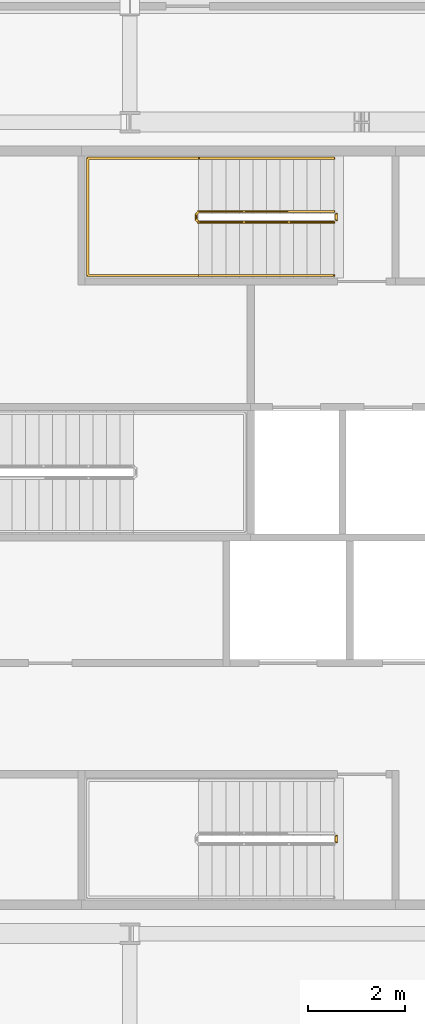
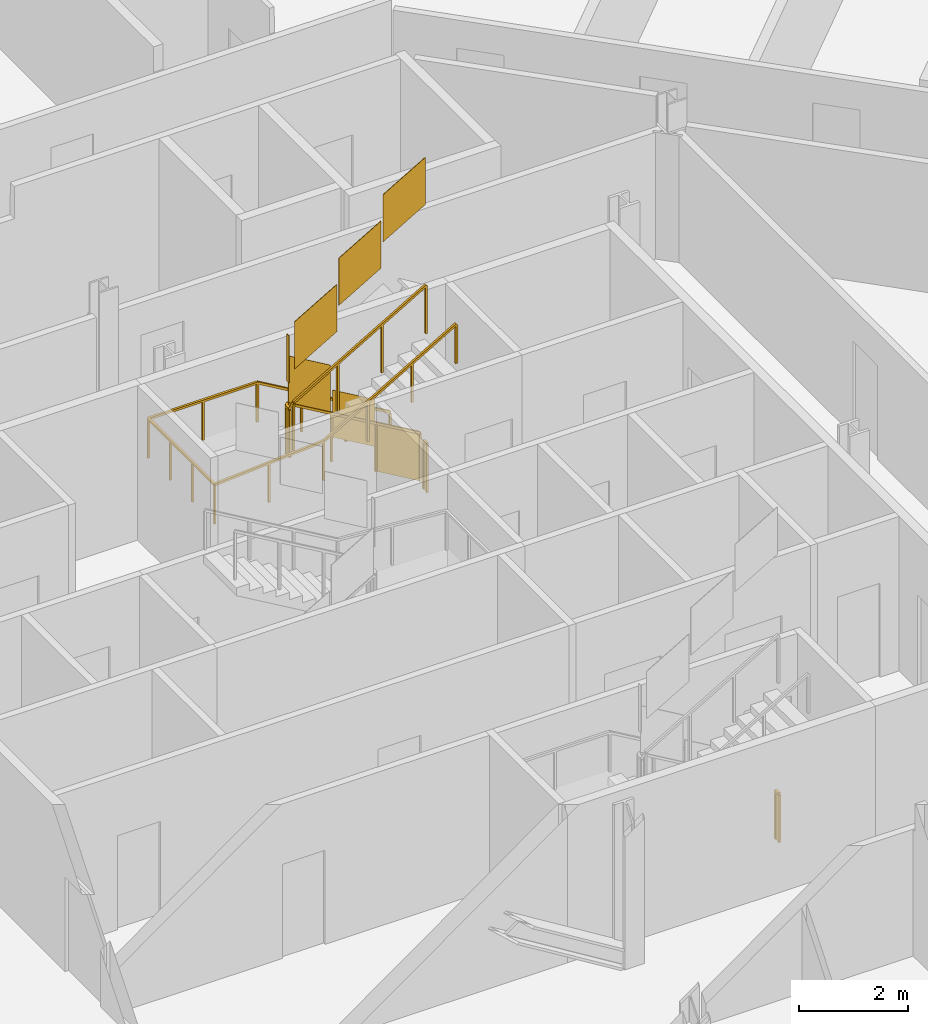
# One storey, part 18 of 21: 4 railings.
"""IFC4 building model written with IfcOpenShell, lengths in metres."""

from ifc_helpers import new_model, si_unit, direction, frame, origin, origin_2d, place, context, subcontext, project, spatial, polyline, rectangle, outline, extrude, material, type_object, element, save


model = new_model("IFC4")

# Units and contexts
model_context = context("Model", 3, precision=1e-05, world=origin(), true_north=direction((0.0, 1.0)))
body_context = subcontext(model_context, "Body", "Model", "MODEL_VIEW")
ifc_project = project(units=[si_unit("LENGTHUNIT", "METRE"), si_unit("AREAUNIT", "SQUARE_METRE"), si_unit("VOLUMEUNIT", "CUBIC_METRE"), si_unit("PLANEANGLEUNIT", "RADIAN"), si_unit("MASSUNIT", "GRAM", prefix="KILO")], contexts=[model_context])

# Site, building, storey
site_placement = place(None, origin())
site = spatial("IfcSite", under=ifc_project, at=site_placement, CompositionType="ELEMENT")
building_placement = place(site_placement, origin())
building = spatial("IfcBuilding", under=site, at=building_placement, Name="Cairn Pilgrim Tower", CompositionType="ELEMENT")
storey_placement = place(building_placement, frame((0.0, 0.0, 154.199951171875)))
storey = spatial("IfcBuildingStorey", under=building, at=storey_placement, Name="L38", CompositionType="ELEMENT", Elevation=154.199951171875)

# Railings
ifc_material = material(Name="Painted steel", Category="steel")
railing_type_1 = type_object("IfcRailingType", Name="STAIR GUARD 1100", PredefinedType="GUARDRAIL", material=ifc_material)
railing_1_placement = place(storey_placement, frame((11.47509765625, -3.97509765625, 0.0)))
element("IfcRailing", 1, at=railing_1_placement, inside=storey, type_object=railing_type_1, Name="L38 ST-A stair guard 2", PredefinedType="GUARDRAIL", context=body_context, shape_type="SweptSolid", body=[
    extrude(rectangle(XDim=0.048095703125, YDim=0.048095703125, at=origin_2d()), frame((0.0, 0.0, 1.076171875), z_axis=(0.0, -1.0, 0.0), x_axis=(1.0, 0.0, 0.0)), (0.0, 0.0, 1.0), 0.125),
    extrude(rectangle(XDim=0.0419921875, YDim=0.0419921875, at=origin_2d()), origin(), (0.0, 0.0, 1.0), 1.052001953125),
    extrude(rectangle(XDim=0.0419921875, YDim=0.0419921875, at=origin_2d()), frame((0.0, -0.125, 0.0)), (0.0, 0.0, 1.0), 1.052001953125),
    extrude(outline(polyline([(0.02099609375, 0.0), (0.10400390625, 0.0), (0.10400390625, 1.052001953125), (0.02099609375, 1.052001953125), (0.02099609375, 0.0)])), frame((0.005859375, 0.0, 0.0), z_axis=(-1.0, 0.0, 0.0), x_axis=(0.0, -1.0, 0.0)), (0.0, 0.0, 1.0), 0.011962890625),
])
railing_2_placement = place(storey_placement, frame((11.425048828125, 8.949951171875, 0.16357421875)))
element("IfcRailing", 2, at=railing_2_placement, inside=storey, type_object=railing_type_1, Name="L38 ST-C stair guard 1", PredefinedType="GUARDRAIL", context=body_context, shape_type="SweptSolid", body=[
    extrude(rectangle(XDim=0.048095703125, YDim=0.048095703125, at=origin_2d()), frame((0.0, 0.0, 1.076171875), z_axis=(-0.863360870873, 0.0, 0.504586966384), x_axis=(0.0, -1.0, 0.0)), (0.0, 0.0, 1.0), 3.2431640625),
    extrude(rectangle(XDim=0.048095703125, YDim=0.048095703125, at=origin_2d()), frame((-2.800048828125, 0.0, 2.71240234375), z_axis=(-0.707106781187, -0.707106781187, 0.0), x_axis=(0.707106781187, -0.707106781187, 0.0)), (0.0, 0.0, 1.0), 0.07080078125),
    extrude(rectangle(XDim=0.048095703125, YDim=0.048095703125, at=origin_2d()), frame((-2.85009765625, -0.050048828125, 2.71240234375), z_axis=(0.0, -1.0, 0.0), x_axis=(1.0, 0.0, 0.0)), (0.0, 0.0, 1.0), 0.125),
    extrude(rectangle(XDim=0.048095703125, YDim=0.048095703125, at=origin_2d()), frame((-2.85009765625, -0.175048828125, 2.71240234375), z_axis=(0.280916556609, -0.279546231943, 0.91811752648), x_axis=(0.705375805398, 0.708833529934, 0.0)), (0.0, 0.0, 1.0), 0.17822265625),
    extrude(rectangle(XDim=0.048095703125, YDim=0.048095703125, at=origin_2d()), frame((-2.800048828125, -0.224853515625, 2.8759765625), z_axis=(0.863360870873, 0.0, 0.504586966384), x_axis=(0.0, 1.0, 0.0)), (0.0, 0.0, 1.0), 3.2431640625),
    extrude(rectangle(XDim=0.0419921875, YDim=0.0419921875, at=origin_2d()), origin(), (0.0, 0.0, 1.0), 1.052001953125),
    extrude(rectangle(XDim=0.0419921875, YDim=0.0419921875, at=origin_2d()), frame((-0.933349609375, 0.0, 0.54541015625)), (0.0, 0.0, 1.0), 1.052001953125),
    extrude(rectangle(XDim=0.0419921875, YDim=0.0419921875, at=origin_2d()), frame((-1.86669921875, 0.0, 1.091064453125)), (0.0, 0.0, 1.0), 1.052001953125),
    extrude(rectangle(XDim=0.0419921875, YDim=0.0419921875, at=origin_2d()), frame((-2.800048828125, 0.0, 1.636474609375)), (0.0, 0.0, 1.0), 1.052001953125),
    extrude(rectangle(XDim=0.0419921875, YDim=0.0419921875, at=origin_2d()), frame((-2.85009765625, -0.050048828125, 1.636474609375)), (0.0, 0.0, 1.0), 1.052001953125),
    extrude(rectangle(XDim=0.0419921875, YDim=0.0419921875, at=origin_2d()), frame((-2.85009765625, -0.175048828125, 1.636474609375)), (0.0, 0.0, 1.0), 1.052001953125),
    extrude(rectangle(XDim=0.0419921875, YDim=0.0419921875, at=origin_2d()), frame((-2.800048828125, -0.224853515625, 1.800048828125)), (0.0, 0.0, 1.0), 1.052001953125),
    extrude(rectangle(XDim=0.0419921875, YDim=0.0419921875, at=origin_2d()), frame((-1.86669921875, -0.224853515625, 2.345458984375)), (0.0, 0.0, 1.0), 1.052001953125),
    extrude(rectangle(XDim=0.0419921875, YDim=0.0419921875, at=origin_2d()), frame((-0.933349609375, -0.224853515625, 2.89111328125)), (0.0, 0.0, 1.0), 1.052001953125),
    extrude(rectangle(XDim=0.0419921875, YDim=0.0419921875, at=origin_2d()), frame((0.0, -0.224853515625, 3.4365234375)), (0.0, 0.0, 1.0), 1.052001953125),
    extrude(outline(polyline([(0.02099609375, 0.01220703125), (0.912353515625, 0.533203125), (0.912353515625, 1.585205078125), (0.02099609375, 1.064208984375), (0.02099609375, 0.01220703125)])), frame((0.0, -0.005859375, 0.0), z_axis=(0.0, 1.0, 0.0), x_axis=(-1.0, 0.0, 0.0)), (0.0, 0.0, 1.0), 0.011962890625),
    extrude(outline(polyline([(0.02099609375, 0.557861328125), (0.912353515625, 1.07861328125), (0.912353515625, 2.130615234375), (0.02099609375, 1.60986328125), (0.02099609375, 0.557861328125)])), frame((-0.933349609375, -0.005859375, 0.54541015625), z_axis=(0.0, 1.0, 0.0), x_axis=(-1.0, 0.0, 0.0)), (0.0, 0.0, 1.0), 0.011962890625),
    extrude(outline(polyline([(0.02099609375, 1.103271484375), (0.912353515625, 1.624267578125), (0.912353515625, 2.67626953125), (0.02099609375, 2.1552734375), (0.02099609375, 1.103271484375)])), frame((-1.86669921875, -0.005859375, 1.091064453125), z_axis=(0.0, 1.0, 0.0), x_axis=(-1.0, 0.0, 0.0)), (0.0, 0.0, 1.0), 0.011962890625),
    extrude(outline(polyline([(0.02099609375, 1.636474609375), (0.10400390625, 1.636474609375), (0.10400390625, 2.6884765625), (0.02099609375, 2.6884765625), (0.02099609375, 1.636474609375)])), frame((-2.84423828125, -0.050048828125, 1.636474609375), z_axis=(-1.0, 0.0, 0.0), x_axis=(0.0, -1.0, 0.0)), (0.0, 0.0, 1.0), 0.011962890625),
    extrude(outline(polyline([(0.02099609375, 1.812255859375), (0.912353515625, 2.333251953125), (0.912353515625, 3.38525390625), (0.02099609375, 2.8642578125), (0.02099609375, 1.812255859375)])), frame((-2.800048828125, -0.21875, 1.800048828125), z_axis=(0.0, -1.0, 0.0), x_axis=(1.0, 0.0, 0.0)), (0.0, 0.0, 1.0), 0.011962890625),
    extrude(outline(polyline([(0.02099609375, 2.35791015625), (0.912353515625, 2.878662109375), (0.912353515625, 3.9306640625), (0.02099609375, 3.409912109375), (0.02099609375, 2.35791015625)])), frame((-1.86669921875, -0.21875, 2.345458984375), z_axis=(0.0, -1.0, 0.0), x_axis=(1.0, 0.0, 0.0)), (0.0, 0.0, 1.0), 0.011962890625),
    extrude(outline(polyline([(0.02099609375, 2.9033203125), (0.912353515625, 3.42431640625), (0.912353515625, 4.476318359375), (0.02099609375, 3.955322265625), (0.02099609375, 2.9033203125)])), frame((-0.933349609375, -0.21875, 2.89111328125), z_axis=(0.0, -1.0, 0.0), x_axis=(1.0, 0.0, 0.0)), (0.0, 0.0, 1.0), 0.011962890625),
])
railing_3_placement = place(storey_placement, frame((11.47509765625, 8.89990234375, 0.0)))
element("IfcRailing", 3, at=railing_3_placement, inside=storey, type_object=railing_type_1, Name="L38 ST-C stair guard 2", PredefinedType="GUARDRAIL", context=body_context, shape_type="SweptSolid", body=[
    extrude(rectangle(XDim=0.048095703125, YDim=0.048095703125, at=origin_2d()), frame((0.0, 0.0, 1.076171875), z_axis=(0.0, -1.0, 0.0), x_axis=(1.0, 0.0, 0.0)), (0.0, 0.0, 1.0), 0.125),
    extrude(rectangle(XDim=0.0419921875, YDim=0.0419921875, at=origin_2d()), origin(), (0.0, 0.0, 1.0), 1.052001953125),
    extrude(rectangle(XDim=0.0419921875, YDim=0.0419921875, at=origin_2d()), frame((0.0, -0.125, 0.0)), (0.0, 0.0, 1.0), 1.052001953125),
    extrude(outline(polyline([(0.02099609375, 0.0), (0.10400390625, 0.0), (0.10400390625, 1.052001953125), (0.02099609375, 1.052001953125), (0.02099609375, 0.0)])), frame((0.005859375, 0.0, 0.0), z_axis=(-1.0, 0.0, 0.0), x_axis=(0.0, -1.0, 0.0)), (0.0, 0.0, 1.0), 0.011962890625),
])
railing_type_2 = type_object("IfcRailingType", Name="STAIR HANDRAIL 900", PredefinedType="HANDRAIL", material=ifc_material)
railing_4_placement = place(storey_placement, frame((11.425048828125, 10.050048828125, 0.16357421875)))
element("IfcRailing", 4, at=railing_4_placement, inside=storey, type_object=railing_type_2, Name="L38 ST-C stair handrail 1", PredefinedType="HANDRAIL", context=body_context, shape_type="SweptSolid", body=[
    extrude(rectangle(XDim=0.048095703125, YDim=0.048095703125, at=origin_2d()), frame((0.0, 0.0, 0.8759765625), z_axis=(-0.863360870873, 0.0, 0.504586966384), x_axis=(0.0, -1.0, 0.0)), (0.0, 0.0, 1.0), 3.2431640625),
    extrude(rectangle(XDim=0.048095703125, YDim=0.048095703125, at=origin_2d()), frame((-2.800048828125, 0.0, 2.51220703125), z_axis=(-1.0, 0.0, 0.0), x_axis=(0.0, -1.0, 0.0)), (0.0, 0.0, 1.0), 2.300048828125),
    extrude(rectangle(XDim=0.048095703125, YDim=0.048095703125, at=origin_2d()), frame((-5.10009765625, 0.0, 2.51220703125), z_axis=(0.0, -1.0, 0.0), x_axis=(1.0, 0.0, 0.0)), (0.0, 0.0, 1.0), 2.425048828125),
    extrude(rectangle(XDim=0.048095703125, YDim=0.048095703125, at=origin_2d()), frame((-5.10009765625, -2.425048828125, 2.51220703125), z_axis=(0.997480687736, 0.0, 0.070938548008), x_axis=(0.0, 1.0, 0.0)), (0.0, 0.0, 1.0), 2.305908203125),
    extrude(rectangle(XDim=0.048095703125, YDim=0.048095703125, at=origin_2d()), frame((-2.800048828125, -2.425048828125, 2.67578125), z_axis=(0.863360870873, 0.0, 0.504586966384), x_axis=(0.0, 1.0, 0.0)), (0.0, 0.0, 1.0), 3.2431640625),
    extrude(rectangle(XDim=0.0419921875, YDim=0.0419921875, at=origin_2d()), origin(), (0.0, 0.0, 1.0), 0.851806640625),
    extrude(rectangle(XDim=0.0419921875, YDim=0.0419921875, at=origin_2d()), frame((-0.933349609375, 0.0, 0.54541015625)), (0.0, 0.0, 1.0), 0.851806640625),
    extrude(rectangle(XDim=0.0419921875, YDim=0.0419921875, at=origin_2d()), frame((-1.86669921875, 0.0, 1.091064453125)), (0.0, 0.0, 1.0), 0.851806640625),
    extrude(rectangle(XDim=0.0419921875, YDim=0.0419921875, at=origin_2d()), frame((-2.800048828125, 0.0, 1.636474609375)), (0.0, 0.0, 1.0), 0.851806640625),
    extrude(rectangle(XDim=0.0419921875, YDim=0.0419921875, at=origin_2d()), frame((-3.9501953125, 0.0, 1.636474609375)), (0.0, 0.0, 1.0), 0.851806640625),
    extrude(rectangle(XDim=0.0419921875, YDim=0.0419921875, at=origin_2d()), frame((-5.10009765625, 0.0, 1.636474609375)), (0.0, 0.0, 1.0), 0.851806640625),
    extrude(rectangle(XDim=0.0419921875, YDim=0.0419921875, at=origin_2d()), frame((-5.10009765625, -0.808349609375, 1.636474609375)), (0.0, 0.0, 1.0), 0.851806640625),
    extrude(rectangle(XDim=0.0419921875, YDim=0.0419921875, at=origin_2d()), frame((-5.10009765625, -1.61669921875, 1.636474609375)), (0.0, 0.0, 1.0), 0.851806640625),
    extrude(rectangle(XDim=0.0419921875, YDim=0.0419921875, at=origin_2d()), frame((-5.10009765625, -2.425048828125, 1.636474609375)), (0.0, 0.0, 1.0), 0.851806640625),
    extrude(rectangle(XDim=0.0419921875, YDim=0.0419921875, at=origin_2d()), frame((-3.9501953125, -2.425048828125, 1.71826171875)), (0.0, 0.0, 1.0), 0.851806640625),
    extrude(rectangle(XDim=0.0419921875, YDim=0.0419921875, at=origin_2d()), frame((-2.800048828125, -2.425048828125, 1.800048828125)), (0.0, 0.0, 1.0), 0.851806640625),
    extrude(rectangle(XDim=0.0419921875, YDim=0.0419921875, at=origin_2d()), frame((-1.86669921875, -2.425048828125, 2.345458984375)), (0.0, 0.0, 1.0), 0.851806640625),
    extrude(rectangle(XDim=0.0419921875, YDim=0.0419921875, at=origin_2d()), frame((-0.933349609375, -2.425048828125, 2.89111328125)), (0.0, 0.0, 1.0), 0.851806640625),
    extrude(rectangle(XDim=0.0419921875, YDim=0.0419921875, at=origin_2d()), frame((0.0, -2.425048828125, 3.4365234375)), (0.0, 0.0, 1.0), 0.851806640625),
])

save(model, "model.ifc")
